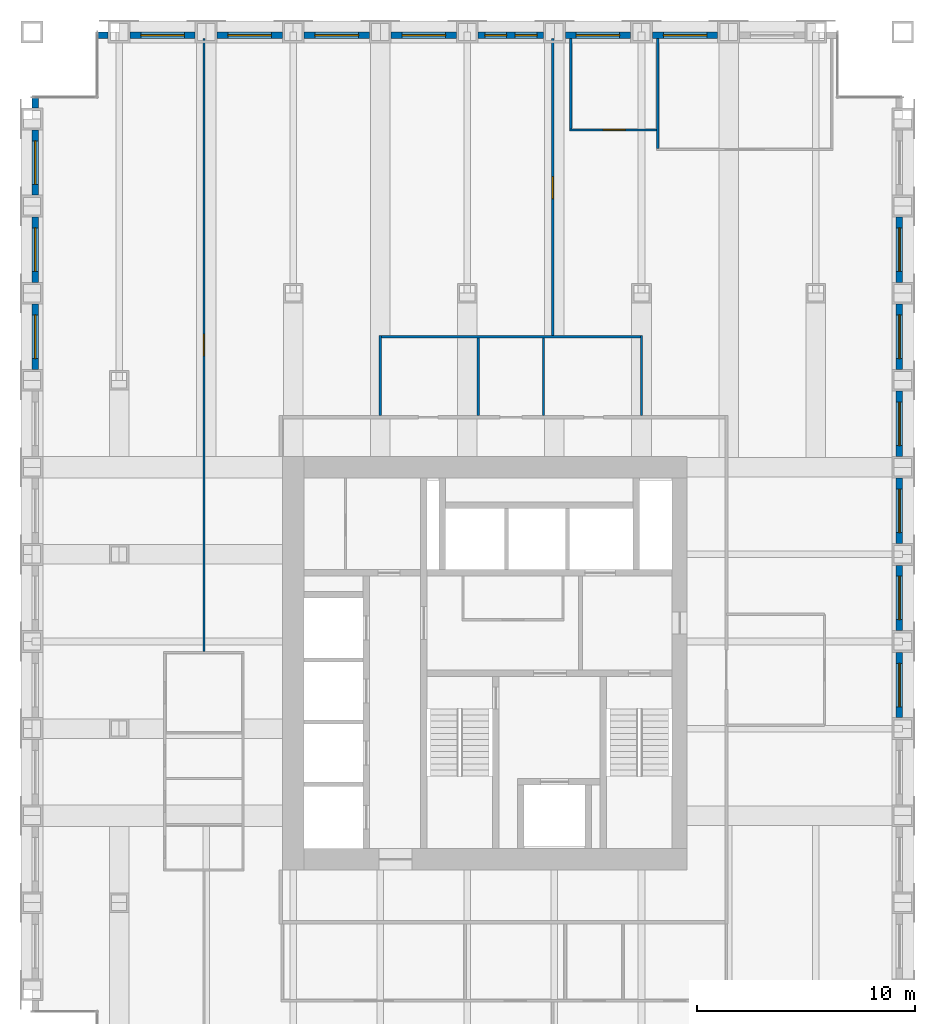
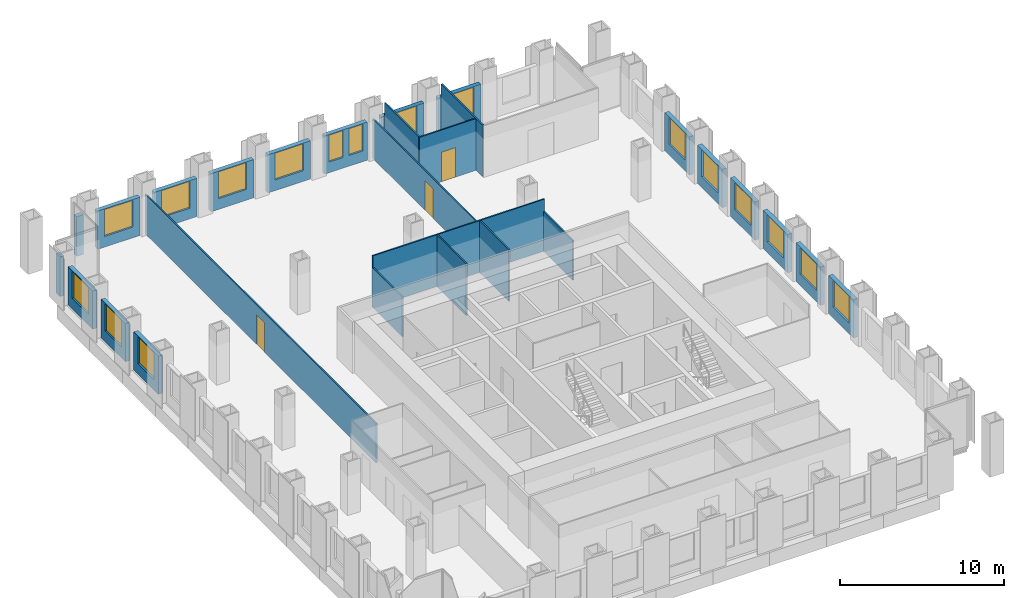
# One storey, part 11 of 13: 28 walls, 17 windows, 3 doors, 20 openings.
"""IFC4 building model written with IfcOpenShell, lengths in metres."""

import ifcopenshell
import ifcopenshell.guid

model = None  # the IFC model being written
_history = None  # IfcOwnerHistory: only IFC2X3 demands one
_inside = {}  # id of a spatial element -> (the spatial element, [elements in it])
_under = {}  # id of a project, library or spatial element -> (it, [spatial elements below it])
_declared = {}  # id of a project -> (the project, [libraries it declares])
_typed = {}  # id of a type object -> (the type object, [elements of that type])
_made_of = {}  # id of a material, layer set ... -> (it, [elements and type objects made of it])


def new_model(schema):
    """Start an empty IFC model of exactly this schema.

    Asked for "IFC4X3", IfcOpenShell would pick the latest addendum, in which some entities
    have other attributes; the version numbers below select the first issue.
    IFC2X3 requires an IfcOwnerHistory on every rooted entity: one is made here for all.
    """
    global model, _history
    if schema == "IFC4X3":
        model = ifcopenshell.file(schema_version=(4, 3, 0, 0))
    else:
        model = ifcopenshell.file(schema=schema)
    _inside.clear()
    _under.clear()
    _declared.clear()
    _typed.clear()
    _made_of.clear()
    _history = None
    if model.schema == "IFC2X3":
        org = make("IfcOrganization", Name="unknown")
        user = make(
            "IfcPersonAndOrganization",
            ThePerson=make("IfcPerson", FamilyName="unknown"),
            TheOrganization=org,
        )
        app = make(
            "IfcApplication",
            ApplicationDeveloper=org,
            Version="unknown",
            ApplicationFullName="unknown",
            ApplicationIdentifier="unknown",
        )
        _history = make(
            "IfcOwnerHistory",
            OwningUser=user,
            OwningApplication=app,
            ChangeAction="ADDED",
            CreationDate=0,
        )
    return model


def make(cls, **values):
    """One entity of the class cls with the attributes given. An attribute that is None is left unset."""
    return model.create_entity(
        cls, **{name: value for name, value in values.items() if value is not None}
    )


def rooted(cls, **values):
    """An entity with a GlobalId (a new one), such as an element, a storey or a relation."""
    return make(cls, GlobalId=ifcopenshell.guid.new(), OwnerHistory=_history, **values)


def si_unit(unit_type, name, prefix=None):
    """IfcSIUnit, for example si_unit("LENGTHUNIT", "METRE", prefix="MILLI")."""
    return make("IfcSIUnit", UnitType=unit_type, Prefix=prefix, Name=name)


def assignment(units):
    """IfcUnitAssignment: the units of a project."""
    return None if units is None else make("IfcUnitAssignment", Units=units)


def point(xyz):
    """IfcCartesianPoint."""
    return None if xyz is None else make("IfcCartesianPoint", Coordinates=xyz)


def direction(xyz):
    """IfcDirection."""
    return None if xyz is None else make("IfcDirection", DirectionRatios=xyz)


def frame(location, z_axis=None, x_axis=None):
    """IfcAxis2Placement3D, a coordinate frame: its origin and axes. An axis left out is left unset."""
    return make(
        "IfcAxis2Placement3D",
        Location=point(location),
        Axis=direction(z_axis),
        RefDirection=direction(x_axis),
    )


def frame_2d(location, x_axis=None):
    """IfcAxis2Placement2D, a coordinate frame in the plane: its origin and x axis."""
    return make(
        "IfcAxis2Placement2D", Location=point(location), RefDirection=direction(x_axis)
    )


def origin():
    """The frame at (0, 0, 0) with its axes left unset."""
    return frame((0.0, 0.0, 0.0))


def place(relative_to, where):
    """IfcLocalPlacement: puts the frame where relative to a parent placement (None: the world)."""
    return make(
        "IfcLocalPlacement", PlacementRelTo=relative_to, RelativePlacement=where
    )


def context(
    kind, dimensions, precision=None, world=None, true_north=None, identifier=None
):
    """IfcGeometricRepresentationContext, for example the 3D "Model" context."""
    return make(
        "IfcGeometricRepresentationContext",
        ContextIdentifier=identifier,
        ContextType=kind,
        CoordinateSpaceDimension=dimensions,
        Precision=precision,
        WorldCoordinateSystem=world,
        TrueNorth=true_north,
    )


def subcontext(parent, identifier, kind, view, scale=None):
    """IfcGeometricRepresentationSubContext, for example "Body" below "Model"."""
    return make(
        "IfcGeometricRepresentationSubContext",
        ContextIdentifier=identifier,
        ContextType=kind,
        ParentContext=parent,
        TargetScale=scale,
        TargetView=view,
    )


def project(units=None, contexts=None):
    """IfcProject with its units and contexts."""
    return rooted(
        "IfcProject",
        Name="project",
        RepresentationContexts=contexts,
        UnitsInContext=assignment(units),
    )


def spatial(cls, under=None, at=None, **own):
    """A site, building, storey or space (cls), placed at a placement, below another one or the project."""
    s = rooted(cls, ObjectPlacement=at, **own)
    if under is not None:
        _under.setdefault(under.id(), (under, []))[1].append(s)
    return s


def profile(cls, at=None, kind="AREA", **sizes):
    """A parametric profile (cls). Its sizes go by their IFC names, for example OverallWidth=200.0."""
    return make(cls, ProfileType=kind, Position=at, **sizes)


def rectangle(**sizes):
    """IfcRectangleProfileDef."""
    return profile("IfcRectangleProfileDef", **sizes)


def extrude(swept, where, along, depth):
    """IfcExtrudedAreaSolid: the profile swept, set in the frame where, extruded along a direction by depth."""
    return make(
        "IfcExtrudedAreaSolid",
        SweptArea=swept,
        Position=where,
        ExtrudedDirection=direction(along),
        Depth=depth,
    )


def shape(context_of_items, identifier, shape_type, items):
    """IfcShapeRepresentation: the items that make up one representation, for example the "Body"."""
    return make(
        "IfcShapeRepresentation",
        ContextOfItems=context_of_items,
        RepresentationIdentifier=identifier,
        RepresentationType=shape_type,
        Items=items,
    )


def material(Name=None, Category=None):
    """IfcMaterial."""
    return make("IfcMaterial", Name=Name, Category=Category)


def layer(
    of_material, thickness, ventilated=None, Name=None, Category=None, Priority=None
):
    """IfcMaterialLayer: one layer of a wall or slab, of a material (None: an air gap)."""
    return make(
        "IfcMaterialLayer",
        Material=of_material,
        LayerThickness=thickness,
        IsVentilated=ventilated,
        Name=Name,
        Category=Category,
        Priority=Priority,
    )


def layer_set(layers, Name=None):
    """IfcMaterialLayerSet."""
    return make("IfcMaterialLayerSet", MaterialLayers=layers, LayerSetName=Name)


def made_of(thing, what):
    """Note that an element or type object is made of a material, layer set ...; save() writes the relation."""
    if what is not None:
        _made_of.setdefault(what.id(), (what, []))[1].append(thing)
    return thing


def type_object(cls, material=None, **own):
    """A type object (cls), such as IfcWallType, which elements share."""
    return made_of(rooted(cls, **own), material)


def element(
    cls,
    number,
    at=None,
    inside=None,
    cuts=None,
    type_object=None,
    material=None,
    context=None,
    identifier="Body",
    shape_type=None,
    held_by="IfcProductDefinitionShape",
    body=None,
    shapes=None,
    **own,
):
    """One element of the class cls, such as IfcWall. Its Tag is "e" and its number.

    at: its placement. inside: the storey or other place that contains it. cuts: it is an
    opening in that element (IfcRelVoidsElement). A single representation is given by context,
    identifier, shape_type and body (its items); several are given by shapes. held_by: the class
    of the entity that holds the representations. save() writes the other relations.
    """
    e = rooted(cls, Tag="e%d" % number, ObjectPlacement=at, **own)
    if body is not None:
        shapes = [shape(context, identifier, shape_type, body)]
    if shapes is not None:
        e.Representation = make(held_by, Representations=shapes)
    if inside is not None:
        _inside.setdefault(inside.id(), (inside, []))[1].append(e)
    if cuts is not None:
        rooted(
            "IfcRelVoidsElement", RelatingBuildingElement=cuts, RelatedOpeningElement=e
        )
    if type_object is not None:
        _typed.setdefault(type_object.id(), (type_object, []))[1].append(e)
    return made_of(e, material)


def fill(opening, filler):
    """IfcRelFillsElement: the door or window that sits in an opening."""
    return rooted(
        "IfcRelFillsElement",
        RelatingOpeningElement=opening,
        RelatedBuildingElement=filler,
    )


def aggregate(whole, parts):
    """IfcRelAggregates: a whole, such as a stair, and the parts it consists of."""
    return rooted("IfcRelAggregates", RelatingObject=whole, RelatedObjects=parts)


def save(model, path):
    """Write the relations noted so far, then the file.

    IfcRelAggregates (storeys below a building ...), IfcRelContainedInSpatialStructure (elements
    in a storey), IfcRelDefinesByType, IfcRelAssociatesMaterial and IfcRelDeclares: one each for
    every whole, place, type object, material and project.
    """
    for whole, parts in _under.values():
        aggregate(whole, parts)
    for where, things in _inside.values():
        rooted(
            "IfcRelContainedInSpatialStructure",
            RelatedElements=things,
            RelatingStructure=where,
        )
    for kind, things in _typed.values():
        rooted("IfcRelDefinesByType", RelatedObjects=things, RelatingType=kind)
    for what, things in _made_of.values():
        rooted("IfcRelAssociatesMaterial", RelatedObjects=things, RelatingMaterial=what)
    for by, libraries in _declared.values():
        rooted("IfcRelDeclares", RelatingContext=by, RelatedDefinitions=libraries)
    model.write(path)


model = new_model("IFC4")

# Units and contexts
model_context = context("Model", 3, precision=1e-05, world=origin(), true_north=direction((0.0, 1.0)))
body_context = subcontext(model_context, "Body", "Model", "MODEL_VIEW")
ifc_project = project(units=[si_unit("LENGTHUNIT", "METRE"), si_unit("AREAUNIT", "SQUARE_METRE"), si_unit("VOLUMEUNIT", "CUBIC_METRE"), si_unit("PLANEANGLEUNIT", "RADIAN"), si_unit("MASSUNIT", "GRAM", prefix="KILO")], contexts=[model_context])

# Site, building, storey
site_placement = place(None, origin())
site = spatial("IfcSite", under=ifc_project, at=site_placement, CompositionType="ELEMENT")
building_placement = place(site_placement, origin())
building = spatial("IfcBuilding", under=site, at=building_placement, Name="Rimbunsela Tower", CompositionType="ELEMENT")
storey_placement = place(building_placement, frame((0.0, 0.0, 187.800048828125)))
storey = spatial("IfcBuildingStorey", under=building, at=storey_placement, Name="L45", CompositionType="ELEMENT", Elevation=187.800048828125)

# Wall, opening, door
ifc_material_1 = material(Name="Gypsum board on steel studs", Category="steel")
ifc_layer_1 = layer(ifc_material_1, 0.10009765625)
ifc_layer_set_1 = layer_set([ifc_layer_1], Name="Office partition 100")
wall_type_1 = type_object("IfcWallType", Name="Office partition 100", PredefinedType="PARTITIONING", material=ifc_layer_set_1)
wall_1_placement = place(storey_placement, frame((30.699951171875, 51.5, 0.0), z_axis=(0.0, 0.0, 1.0), x_axis=(1.0, 0.0, 0.0)))
wall_1 = element("IfcWall", 1, at=wall_1_placement, inside=storey, type_object=wall_type_1, Name="Office partition", PredefinedType="PARTITIONING", context=body_context, shape_type="SweptSolid", body=[
    extrude(rectangle(XDim=4.0, YDim=0.10009765625, at=frame_2d((2.0, 0.0))), origin(), (0.0, 0.0, 1.0), 3.849853515625),
])
opening_1_placement = place(wall_1_placement, frame((1.550048828125, 0.0, 0.0)))
opening_1 = element("IfcOpeningElement", 2, at=opening_1_placement, cuts=wall_1, Name="Opening D16", PredefinedType="OPENING", context=body_context, shape_type="SweptSolid", body=[
    extrude(rectangle(XDim=1.0, YDim=2.199951171875, at=frame_2d((0.5, 1.10009765625))), frame((0.0, 0.06005859375, 0.0), z_axis=(0.0, -1.0, 0.0), x_axis=(1.0, 0.0, 0.0)), (0.0, 0.0, 1.0), 0.1201171875),
])
ifc_material_2 = material(Name="Timber door", Category="wood")
door_type_1 = type_object("IfcDoorType", Name="Office door 1000", OperationType="SINGLE_SWING_LEFT", PredefinedType="DOOR", material=ifc_material_2)
door_1_placement = place(opening_1_placement, origin())
door_1 = element("IfcDoor", 3, at=door_1_placement, inside=storey, type_object=door_type_1, Name="Office door", OperationType="SINGLE_SWING_LEFT", OverallHeight=2.199951171875, OverallWidth=1.0, PredefinedType="DOOR", context=body_context, shape_type="SweptSolid", body=[
    extrude(rectangle(XDim=1.0, YDim=2.199951171875, at=frame_2d((0.5, 1.10009765625))), frame((0.0, 0.02490234375, 0.0), z_axis=(0.0, -1.0, 0.0), x_axis=(1.0, 0.0, 0.0)), (0.0, 0.0, 1.0), 0.050048828125),
])
fill(opening_1, door_1)

# Walls
wall_2_placement = place(storey_placement, frame((30.75, 51.550048828125, 0.0), z_axis=(0.0, 0.0, 1.0), x_axis=(0.0, 1.0, 0.0)))
element("IfcWall", 4, at=wall_2_placement, inside=storey, type_object=wall_type_1, Name="Office partition", PredefinedType="PARTITIONING", context=body_context, shape_type="SweptSolid", body=[
    extrude(rectangle(XDim=4.14990234375, YDim=0.10009765625, at=frame_2d((2.074951171875, 0.0))), origin(), (0.0, 0.0, 1.0), 3.849853515625),
])
wall_3_placement = place(storey_placement, frame((34.75, 50.64990234375, 0.0), z_axis=(0.0, 0.0, 1.0), x_axis=(0.0, 1.0, 0.0)))
element("IfcWall", 5, at=wall_3_placement, inside=storey, type_object=wall_type_1, Name="Office partition", PredefinedType="PARTITIONING", context=body_context, shape_type="SweptSolid", body=[
    extrude(rectangle(XDim=5.050048828125, YDim=0.10009765625, at=frame_2d((2.52490234375, 0.0))), origin(), (0.0, 0.0, 1.0), 3.849853515625),
])

# Wall, opening, door
wall_4_placement = place(storey_placement, frame((29.925048828125, 55.699951171875, 0.0), z_axis=(0.0, 0.0, 1.0), x_axis=(0.0, -1.0, 0.0)))
wall_4 = element("IfcWall", 6, at=wall_4_placement, inside=storey, type_object=wall_type_1, Name="Office partition", PredefinedType="PARTITIONING", context=body_context, shape_type="SweptSolid", body=[
    extrude(rectangle(XDim=13.699951171875, YDim=0.10009765625, at=frame_2d((6.85009765625, 0.0))), origin(), (0.0, 0.0, 1.0), 2.949951171875),
])
opening_2_placement = place(wall_4_placement, frame((6.35009765625, 0.0, 0.0)))
opening_2 = element("IfcOpeningElement", 7, at=opening_2_placement, cuts=wall_4, Name="Opening D17", PredefinedType="OPENING", context=body_context, shape_type="SweptSolid", body=[
    extrude(rectangle(XDim=1.0, YDim=2.199951171875, at=frame_2d((0.5, 1.10009765625))), frame((0.0, 0.06005859375, 0.0), z_axis=(0.0, -1.0, 0.0), x_axis=(1.0, 0.0, 0.0)), (0.0, 0.0, 1.0), 0.1201171875),
])
ifc_material_3 = material(Name="Glazed aluminium door", Category="aluminium")
door_type_2 = type_object("IfcDoorType", Name="Meeting room door 1000 glazed", OperationType="SINGLE_SWING_RIGHT", PredefinedType="DOOR", material=ifc_material_3)
door_2_placement = place(opening_2_placement, origin())
door_2 = element("IfcDoor", 8, at=door_2_placement, inside=storey, type_object=door_type_2, Name="Open office screen door", OperationType="SINGLE_SWING_RIGHT", OverallHeight=2.199951171875, OverallWidth=1.0, PredefinedType="DOOR", context=body_context, shape_type="SweptSolid", body=[
    extrude(rectangle(XDim=1.0, YDim=2.199951171875, at=frame_2d((0.5, 1.10009765625))), frame((0.0, 0.02490234375, 0.0), z_axis=(0.0, -1.0, 0.0), x_axis=(1.0, 0.0, 0.0)), (0.0, 0.0, 1.0), 0.050048828125),
])
fill(opening_2, door_2)

wall_5_placement = place(storey_placement, frame((13.89990234375, 27.550048828125, 0.0), z_axis=(0.0, 0.0, 1.0), x_axis=(0.0, 1.0, 0.0)))
wall_5 = element("IfcWall", 9, at=wall_5_placement, inside=storey, type_object=wall_type_1, Name="Office partition", PredefinedType="PARTITIONING", context=body_context, shape_type="SweptSolid", body=[
    extrude(rectangle(XDim=28.14990234375, YDim=0.10009765625, at=frame_2d((14.074951171875, 0.0))), origin(), (0.0, 0.0, 1.0), 2.949951171875),
])
opening_3_placement = place(wall_5_placement, frame((13.574951171875, 0.0, 0.0)))
opening_3 = element("IfcOpeningElement", 10, at=opening_3_placement, cuts=wall_5, Name="Opening D17", PredefinedType="OPENING", context=body_context, shape_type="SweptSolid", body=[
    extrude(rectangle(XDim=1.0, YDim=2.199951171875, at=frame_2d((0.5, 1.10009765625))), frame((0.0, 0.06005859375, 0.0), z_axis=(0.0, -1.0, 0.0), x_axis=(1.0, 0.0, 0.0)), (0.0, 0.0, 1.0), 0.1201171875),
])
door_3_placement = place(opening_3_placement, origin())
door_3 = element("IfcDoor", 11, at=door_3_placement, inside=storey, type_object=door_type_2, Name="Open office screen door", OperationType="SINGLE_SWING_RIGHT", OverallHeight=2.199951171875, OverallWidth=1.0, PredefinedType="DOOR", context=body_context, shape_type="SweptSolid", body=[
    extrude(rectangle(XDim=1.0, YDim=2.199951171875, at=frame_2d((0.5, 1.10009765625))), frame((0.0, 0.02490234375, 0.0), z_axis=(0.0, -1.0, 0.0), x_axis=(1.0, 0.0, 0.0)), (0.0, 0.0, 1.0), 0.050048828125),
])
fill(opening_3, door_3)

# Wall, opening, window
ifc_material_4 = material(Name="Precast concrete fc' 35 MPa", Category="concrete")
ifc_layer_2 = layer(ifc_material_4, 0.300048828125)
ifc_layer_set_2 = layer_set([ifc_layer_2], Name="Precast concrete fc' 35 MPa")
wall_type_2 = type_object("IfcWallType", Name="Precast facade panel 300", PredefinedType="ELEMENTEDWALL", material=ifc_layer_set_2)
wall_6_placement = place(storey_placement, frame((45.85009765625, 24.5, 0.0), z_axis=(0.0, 0.0, 1.0), x_axis=(0.0, 1.0, 0.0)))
wall_6 = element("IfcWall", 12, at=wall_6_placement, inside=storey, type_object=wall_type_2, Name="Facade panel E L45", PredefinedType="ELEMENTEDWALL", context=body_context, shape_type="SweptSolid", body=[
    extrude(rectangle(XDim=3.0, YDim=0.300048828125, at=frame_2d((1.5, 0.0))), origin(), (0.0, 0.0, 1.0), 2.849853515625),
])
opening_4_placement = place(wall_6_placement, frame((0.5, 0.0, 0.800048828125)))
opening_4 = element("IfcOpeningElement", 13, at=opening_4_placement, cuts=wall_6, Name="Opening W1", PredefinedType="OPENING", context=body_context, shape_type="SweptSolid", body=[
    extrude(rectangle(XDim=2.0, YDim=2.0, at=frame_2d((1.0, 1.0))), frame((0.0, 0.159912109375, 0.0), z_axis=(0.0, -1.0, 0.0), x_axis=(1.0, 0.0, 0.0)), (0.0, 0.0, 1.0), 0.320068359375),
])
ifc_material_5 = material(Name="Clear glass in aluminium frame", Category="aluminium")
window_type_1 = type_object("IfcWindowType", Name="Window W1 2000x2000", PartitioningType="DOUBLE_PANEL_VERTICAL", PredefinedType="WINDOW", material=ifc_material_5)
window_1_placement = place(opening_4_placement, origin())
window_1 = element("IfcWindow", 14, at=window_1_placement, inside=storey, type_object=window_type_1, Name="Window L45", OverallHeight=2.0, OverallWidth=2.0, PartitioningType="SINGLE_PANEL", PredefinedType="WINDOW", context=body_context, shape_type="SweptSolid", body=[
    extrude(rectangle(XDim=2.0, YDim=2.0, at=frame_2d((1.0, 1.0))), frame((0.0, 0.030029296875, 0.0), z_axis=(0.0, -1.0, 0.0), x_axis=(1.0, 0.0, 0.0)), (0.0, 0.0, 1.0), 0.06005859375),
])
fill(opening_4, window_1)

wall_7_placement = place(storey_placement, frame((45.85009765625, 28.5, 0.0), z_axis=(0.0, 0.0, 1.0), x_axis=(0.0, 1.0, 0.0)))
wall_7 = element("IfcWall", 15, at=wall_7_placement, inside=storey, type_object=wall_type_2, Name="Facade panel E L45", PredefinedType="ELEMENTEDWALL", context=body_context, shape_type="SweptSolid", body=[
    extrude(rectangle(XDim=3.0, YDim=0.300048828125, at=frame_2d((1.5, 0.0))), origin(), (0.0, 0.0, 1.0), 2.849853515625),
])
opening_5_placement = place(wall_7_placement, frame((0.5, 0.0, 0.800048828125)))
opening_5 = element("IfcOpeningElement", 16, at=opening_5_placement, cuts=wall_7, Name="Opening W1", PredefinedType="OPENING", context=body_context, shape_type="SweptSolid", body=[
    extrude(rectangle(XDim=2.0, YDim=2.0, at=frame_2d((1.0, 1.0))), frame((0.0, 0.159912109375, 0.0), z_axis=(0.0, -1.0, 0.0), x_axis=(1.0, 0.0, 0.0)), (0.0, 0.0, 1.0), 0.320068359375),
])
window_2_placement = place(opening_5_placement, origin())
window_2 = element("IfcWindow", 17, at=window_2_placement, inside=storey, type_object=window_type_1, Name="Window L45", OverallHeight=2.0, OverallWidth=2.0, PartitioningType="SINGLE_PANEL", PredefinedType="WINDOW", context=body_context, shape_type="SweptSolid", body=[
    extrude(rectangle(XDim=2.0, YDim=2.0, at=frame_2d((1.0, 1.0))), frame((0.0, 0.030029296875, 0.0), z_axis=(0.0, -1.0, 0.0), x_axis=(1.0, 0.0, 0.0)), (0.0, 0.0, 1.0), 0.06005859375),
])
fill(opening_5, window_2)

wall_8_placement = place(storey_placement, frame((45.85009765625, 32.5, 0.0), z_axis=(0.0, 0.0, 1.0), x_axis=(0.0, 1.0, 0.0)))
wall_8 = element("IfcWall", 18, at=wall_8_placement, inside=storey, type_object=wall_type_2, Name="Facade panel E L45", PredefinedType="ELEMENTEDWALL", context=body_context, shape_type="SweptSolid", body=[
    extrude(rectangle(XDim=3.0, YDim=0.300048828125, at=frame_2d((1.5, 0.0))), origin(), (0.0, 0.0, 1.0), 2.849853515625),
])
opening_6_placement = place(wall_8_placement, frame((0.5, 0.0, 0.800048828125)))
opening_6 = element("IfcOpeningElement", 19, at=opening_6_placement, cuts=wall_8, Name="Opening W1", PredefinedType="OPENING", context=body_context, shape_type="SweptSolid", body=[
    extrude(rectangle(XDim=2.0, YDim=2.0, at=frame_2d((1.0, 1.0))), frame((0.0, 0.159912109375, 0.0), z_axis=(0.0, -1.0, 0.0), x_axis=(1.0, 0.0, 0.0)), (0.0, 0.0, 1.0), 0.320068359375),
])
window_3_placement = place(opening_6_placement, origin())
window_3 = element("IfcWindow", 20, at=window_3_placement, inside=storey, type_object=window_type_1, Name="Window L45", OverallHeight=2.0, OverallWidth=2.0, PartitioningType="SINGLE_PANEL", PredefinedType="WINDOW", context=body_context, shape_type="SweptSolid", body=[
    extrude(rectangle(XDim=2.0, YDim=2.0, at=frame_2d((1.0, 1.0))), frame((0.0, 0.030029296875, 0.0), z_axis=(0.0, -1.0, 0.0), x_axis=(1.0, 0.0, 0.0)), (0.0, 0.0, 1.0), 0.06005859375),
])
fill(opening_6, window_3)

wall_9_placement = place(storey_placement, frame((45.85009765625, 36.5, 0.0), z_axis=(0.0, 0.0, 1.0), x_axis=(0.0, 1.0, 0.0)))
wall_9 = element("IfcWall", 21, at=wall_9_placement, inside=storey, type_object=wall_type_2, Name="Facade panel E L45", PredefinedType="ELEMENTEDWALL", context=body_context, shape_type="SweptSolid", body=[
    extrude(rectangle(XDim=3.0, YDim=0.300048828125, at=frame_2d((1.5, 0.0))), origin(), (0.0, 0.0, 1.0), 2.849853515625),
])
opening_7_placement = place(wall_9_placement, frame((0.5, 0.0, 0.800048828125)))
opening_7 = element("IfcOpeningElement", 22, at=opening_7_placement, cuts=wall_9, Name="Opening W1", PredefinedType="OPENING", context=body_context, shape_type="SweptSolid", body=[
    extrude(rectangle(XDim=2.0, YDim=2.0, at=frame_2d((1.0, 1.0))), frame((0.0, 0.159912109375, 0.0), z_axis=(0.0, -1.0, 0.0), x_axis=(1.0, 0.0, 0.0)), (0.0, 0.0, 1.0), 0.320068359375),
])
window_4_placement = place(opening_7_placement, origin())
window_4 = element("IfcWindow", 23, at=window_4_placement, inside=storey, type_object=window_type_1, Name="Window L45", OverallHeight=2.0, OverallWidth=2.0, PartitioningType="SINGLE_PANEL", PredefinedType="WINDOW", context=body_context, shape_type="SweptSolid", body=[
    extrude(rectangle(XDim=2.0, YDim=2.0, at=frame_2d((1.0, 1.0))), frame((0.0, 0.030029296875, 0.0), z_axis=(0.0, -1.0, 0.0), x_axis=(1.0, 0.0, 0.0)), (0.0, 0.0, 1.0), 0.06005859375),
])
fill(opening_7, window_4)

wall_10_placement = place(storey_placement, frame((45.85009765625, 40.5, 0.0), z_axis=(0.0, 0.0, 1.0), x_axis=(0.0, 1.0, 0.0)))
wall_10 = element("IfcWall", 24, at=wall_10_placement, inside=storey, type_object=wall_type_2, Name="Facade panel E L45", PredefinedType="ELEMENTEDWALL", context=body_context, shape_type="SweptSolid", body=[
    extrude(rectangle(XDim=3.0, YDim=0.300048828125, at=frame_2d((1.5, 0.0))), origin(), (0.0, 0.0, 1.0), 2.849853515625),
])
opening_8_placement = place(wall_10_placement, frame((0.5, 0.0, 0.800048828125)))
opening_8 = element("IfcOpeningElement", 25, at=opening_8_placement, cuts=wall_10, Name="Opening W1", PredefinedType="OPENING", context=body_context, shape_type="SweptSolid", body=[
    extrude(rectangle(XDim=2.0, YDim=2.0, at=frame_2d((1.0, 1.0))), frame((0.0, 0.159912109375, 0.0), z_axis=(0.0, -1.0, 0.0), x_axis=(1.0, 0.0, 0.0)), (0.0, 0.0, 1.0), 0.320068359375),
])
window_5_placement = place(opening_8_placement, origin())
window_5 = element("IfcWindow", 26, at=window_5_placement, inside=storey, type_object=window_type_1, Name="Window L45", OverallHeight=2.0, OverallWidth=2.0, PartitioningType="SINGLE_PANEL", PredefinedType="WINDOW", context=body_context, shape_type="SweptSolid", body=[
    extrude(rectangle(XDim=2.0, YDim=2.0, at=frame_2d((1.0, 1.0))), frame((0.0, 0.030029296875, 0.0), z_axis=(0.0, -1.0, 0.0), x_axis=(1.0, 0.0, 0.0)), (0.0, 0.0, 1.0), 0.06005859375),
])
fill(opening_8, window_5)

wall_11_placement = place(storey_placement, frame((45.85009765625, 44.5, 0.0), z_axis=(0.0, 0.0, 1.0), x_axis=(0.0, 1.0, 0.0)))
wall_11 = element("IfcWall", 27, at=wall_11_placement, inside=storey, type_object=wall_type_2, Name="Facade panel E L45", PredefinedType="ELEMENTEDWALL", context=body_context, shape_type="SweptSolid", body=[
    extrude(rectangle(XDim=3.0, YDim=0.300048828125, at=frame_2d((1.5, 0.0))), origin(), (0.0, 0.0, 1.0), 2.849853515625),
])
opening_9_placement = place(wall_11_placement, frame((0.5, 0.0, 0.800048828125)))
opening_9 = element("IfcOpeningElement", 28, at=opening_9_placement, cuts=wall_11, Name="Opening W1", PredefinedType="OPENING", context=body_context, shape_type="SweptSolid", body=[
    extrude(rectangle(XDim=2.0, YDim=2.0, at=frame_2d((1.0, 1.0))), frame((0.0, 0.159912109375, 0.0), z_axis=(0.0, -1.0, 0.0), x_axis=(1.0, 0.0, 0.0)), (0.0, 0.0, 1.0), 0.320068359375),
])
window_6_placement = place(opening_9_placement, origin())
window_6 = element("IfcWindow", 29, at=window_6_placement, inside=storey, type_object=window_type_1, Name="Window L45", OverallHeight=2.0, OverallWidth=2.0, PartitioningType="SINGLE_PANEL", PredefinedType="WINDOW", context=body_context, shape_type="SweptSolid", body=[
    extrude(rectangle(XDim=2.0, YDim=2.0, at=frame_2d((1.0, 1.0))), frame((0.0, 0.030029296875, 0.0), z_axis=(0.0, -1.0, 0.0), x_axis=(1.0, 0.0, 0.0)), (0.0, 0.0, 1.0), 0.06005859375),
])
fill(opening_9, window_6)

# Wall
wall_12_placement = place(storey_placement, frame((9.5, 55.85009765625, 0.0), z_axis=(0.0, 0.0, 1.0), x_axis=(-1.0, 0.0, 0.0)))
element("IfcWall", 30, at=wall_12_placement, inside=storey, type_object=wall_type_2, Name="Facade panel N L45", PredefinedType="ELEMENTEDWALL", context=body_context, shape_type="SweptSolid", body=[
    extrude(rectangle(XDim=0.469970703125, YDim=0.300048828125, at=frame_2d((0.23486328125, 0.0))), origin(), (0.0, 0.0, 1.0), 2.949951171875),
])

# Wall, opening, window
wall_13_placement = place(storey_placement, frame((13.5, 55.85009765625, 0.0), z_axis=(0.0, 0.0, 1.0), x_axis=(-1.0, 0.0, 0.0)))
wall_13 = element("IfcWall", 31, at=wall_13_placement, inside=storey, type_object=wall_type_2, Name="Facade panel N L45", PredefinedType="ELEMENTEDWALL", context=body_context, shape_type="SweptSolid", body=[
    extrude(rectangle(XDim=3.0, YDim=0.300048828125, at=frame_2d((1.5, 0.0))), origin(), (0.0, 0.0, 1.0), 2.849853515625),
])
opening_10_placement = place(wall_13_placement, frame((0.5, 0.0, 0.800048828125)))
opening_10 = element("IfcOpeningElement", 32, at=opening_10_placement, cuts=wall_13, Name="Opening W1", PredefinedType="OPENING", context=body_context, shape_type="SweptSolid", body=[
    extrude(rectangle(XDim=2.0, YDim=2.0, at=frame_2d((1.0, 1.0))), frame((0.0, 0.159912109375, 0.0), z_axis=(0.0, -1.0, 0.0), x_axis=(1.0, 0.0, 0.0)), (0.0, 0.0, 1.0), 0.320068359375),
])
window_7_placement = place(opening_10_placement, origin())
window_7 = element("IfcWindow", 33, at=window_7_placement, inside=storey, type_object=window_type_1, Name="Window L45", OverallHeight=2.0, OverallWidth=2.0, PartitioningType="SINGLE_PANEL", PredefinedType="WINDOW", context=body_context, shape_type="SweptSolid", body=[
    extrude(rectangle(XDim=2.0, YDim=2.0, at=frame_2d((1.0, 1.0))), frame((0.0, 0.030029296875, 0.0), z_axis=(0.0, -1.0, 0.0), x_axis=(1.0, 0.0, 0.0)), (0.0, 0.0, 1.0), 0.06005859375),
])
fill(opening_10, window_7)

wall_14_placement = place(storey_placement, frame((17.5, 55.85009765625, 0.0), z_axis=(0.0, 0.0, 1.0), x_axis=(-1.0, 0.0, 0.0)))
wall_14 = element("IfcWall", 34, at=wall_14_placement, inside=storey, type_object=wall_type_2, Name="Facade panel N L45", PredefinedType="ELEMENTEDWALL", context=body_context, shape_type="SweptSolid", body=[
    extrude(rectangle(XDim=3.0, YDim=0.300048828125, at=frame_2d((1.5, 0.0))), origin(), (0.0, 0.0, 1.0), 2.849853515625),
])
opening_11_placement = place(wall_14_placement, frame((0.5, 0.0, 0.800048828125)))
opening_11 = element("IfcOpeningElement", 35, at=opening_11_placement, cuts=wall_14, Name="Opening W1", PredefinedType="OPENING", context=body_context, shape_type="SweptSolid", body=[
    extrude(rectangle(XDim=2.0, YDim=2.0, at=frame_2d((1.0, 1.0))), frame((0.0, 0.159912109375, 0.0), z_axis=(0.0, -1.0, 0.0), x_axis=(1.0, 0.0, 0.0)), (0.0, 0.0, 1.0), 0.320068359375),
])
window_8_placement = place(opening_11_placement, origin())
window_8 = element("IfcWindow", 36, at=window_8_placement, inside=storey, type_object=window_type_1, Name="Window L45", OverallHeight=2.0, OverallWidth=2.0, PartitioningType="SINGLE_PANEL", PredefinedType="WINDOW", context=body_context, shape_type="SweptSolid", body=[
    extrude(rectangle(XDim=2.0, YDim=2.0, at=frame_2d((1.0, 1.0))), frame((0.0, 0.030029296875, 0.0), z_axis=(0.0, -1.0, 0.0), x_axis=(1.0, 0.0, 0.0)), (0.0, 0.0, 1.0), 0.06005859375),
])
fill(opening_11, window_8)

wall_15_placement = place(storey_placement, frame((21.5, 55.85009765625, 0.0), z_axis=(0.0, 0.0, 1.0), x_axis=(-1.0, 0.0, 0.0)))
wall_15 = element("IfcWall", 37, at=wall_15_placement, inside=storey, type_object=wall_type_2, Name="Facade panel N L45", PredefinedType="ELEMENTEDWALL", context=body_context, shape_type="SweptSolid", body=[
    extrude(rectangle(XDim=3.0, YDim=0.300048828125, at=frame_2d((1.5, 0.0))), origin(), (0.0, 0.0, 1.0), 2.849853515625),
])
opening_12_placement = place(wall_15_placement, frame((0.5, 0.0, 0.800048828125)))
opening_12 = element("IfcOpeningElement", 38, at=opening_12_placement, cuts=wall_15, Name="Opening W1", PredefinedType="OPENING", context=body_context, shape_type="SweptSolid", body=[
    extrude(rectangle(XDim=2.0, YDim=2.0, at=frame_2d((1.0, 1.0))), frame((0.0, 0.159912109375, 0.0), z_axis=(0.0, -1.0, 0.0), x_axis=(1.0, 0.0, 0.0)), (0.0, 0.0, 1.0), 0.320068359375),
])
window_9_placement = place(opening_12_placement, origin())
window_9 = element("IfcWindow", 39, at=window_9_placement, inside=storey, type_object=window_type_1, Name="Window L45", OverallHeight=2.0, OverallWidth=2.0, PartitioningType="SINGLE_PANEL", PredefinedType="WINDOW", context=body_context, shape_type="SweptSolid", body=[
    extrude(rectangle(XDim=2.0, YDim=2.0, at=frame_2d((1.0, 1.0))), frame((0.0, 0.030029296875, 0.0), z_axis=(0.0, -1.0, 0.0), x_axis=(1.0, 0.0, 0.0)), (0.0, 0.0, 1.0), 0.06005859375),
])
fill(opening_12, window_9)

wall_16_placement = place(storey_placement, frame((25.5, 55.85009765625, 0.0), z_axis=(0.0, 0.0, 1.0), x_axis=(-1.0, 0.0, 0.0)))
wall_16 = element("IfcWall", 40, at=wall_16_placement, inside=storey, type_object=wall_type_2, Name="Facade panel N L45", PredefinedType="ELEMENTEDWALL", context=body_context, shape_type="SweptSolid", body=[
    extrude(rectangle(XDim=3.0, YDim=0.300048828125, at=frame_2d((1.5, 0.0))), origin(), (0.0, 0.0, 1.0), 2.849853515625),
])
opening_13_placement = place(wall_16_placement, frame((0.5, 0.0, 0.800048828125)))
opening_13 = element("IfcOpeningElement", 41, at=opening_13_placement, cuts=wall_16, Name="Opening W1", PredefinedType="OPENING", context=body_context, shape_type="SweptSolid", body=[
    extrude(rectangle(XDim=2.0, YDim=2.0, at=frame_2d((1.0, 1.0))), frame((0.0, 0.159912109375, 0.0), z_axis=(0.0, -1.0, 0.0), x_axis=(1.0, 0.0, 0.0)), (0.0, 0.0, 1.0), 0.320068359375),
])
window_10_placement = place(opening_13_placement, origin())
window_10 = element("IfcWindow", 42, at=window_10_placement, inside=storey, type_object=window_type_1, Name="Window L45", OverallHeight=2.0, OverallWidth=2.0, PartitioningType="SINGLE_PANEL", PredefinedType="WINDOW", context=body_context, shape_type="SweptSolid", body=[
    extrude(rectangle(XDim=2.0, YDim=2.0, at=frame_2d((1.0, 1.0))), frame((0.0, 0.030029296875, 0.0), z_axis=(0.0, -1.0, 0.0), x_axis=(1.0, 0.0, 0.0)), (0.0, 0.0, 1.0), 0.06005859375),
])
fill(opening_13, window_10)

# Wall, openings, windows
wall_17_placement = place(storey_placement, frame((29.5, 55.85009765625, 0.0), z_axis=(0.0, 0.0, 1.0), x_axis=(-1.0, 0.0, 0.0)))
wall_17 = element("IfcWall", 43, at=wall_17_placement, inside=storey, type_object=wall_type_2, Name="Facade panel N L45", PredefinedType="ELEMENTEDWALL", context=body_context, shape_type="SweptSolid", body=[
    extrude(rectangle(XDim=3.0, YDim=0.300048828125, at=frame_2d((1.5, 0.0))), origin(), (0.0, 0.0, 1.0), 2.849853515625),
])
opening_14_placement = place(wall_17_placement, frame((1.699951171875, 0.0, 0.800048828125)))
opening_14 = element("IfcOpeningElement", 44, at=opening_14_placement, cuts=wall_17, Name="Opening W5", PredefinedType="OPENING", context=body_context, shape_type="SweptSolid", body=[
    extrude(rectangle(XDim=1.0, YDim=2.0, at=frame_2d((0.5, 1.0))), frame((0.0, 0.159912109375, 0.0), z_axis=(0.0, -1.0, 0.0), x_axis=(1.0, 0.0, 0.0)), (0.0, 0.0, 1.0), 0.320068359375),
])
opening_15_placement = place(wall_17_placement, frame((0.300048828125, 0.0, 0.800048828125)))
opening_15 = element("IfcOpeningElement", 45, at=opening_15_placement, cuts=wall_17, Name="Opening W5", PredefinedType="OPENING", context=body_context, shape_type="SweptSolid", body=[
    extrude(rectangle(XDim=1.0, YDim=2.0, at=frame_2d((0.5, 1.0))), frame((0.0, 0.159912109375, 0.0), z_axis=(0.0, -1.0, 0.0), x_axis=(1.0, 0.0, 0.0)), (0.0, 0.0, 1.0), 0.320068359375),
])
ifc_material_6 = material(Name="Clear glass in aluminium frame", Category="aluminium")
window_type_2 = type_object("IfcWindowType", Name="Window W5 1000x2000", PartitioningType="SINGLE_PANEL", PredefinedType="WINDOW", material=ifc_material_6)
window_11_placement = place(opening_14_placement, origin())
window_11 = element("IfcWindow", 46, at=window_11_placement, inside=storey, type_object=window_type_2, Name="Window L45", OverallHeight=2.0, OverallWidth=1.0, PartitioningType="SINGLE_PANEL", PredefinedType="WINDOW", context=body_context, shape_type="SweptSolid", body=[
    extrude(rectangle(XDim=1.0, YDim=2.0, at=frame_2d((0.5, 1.0))), frame((0.0, 0.030029296875, 0.0), z_axis=(0.0, -1.0, 0.0), x_axis=(1.0, 0.0, 0.0)), (0.0, 0.0, 1.0), 0.06005859375),
])
fill(opening_14, window_11)
window_12_placement = place(opening_15_placement, origin())
window_12 = element("IfcWindow", 47, at=window_12_placement, inside=storey, type_object=window_type_2, Name="Window L45", OverallHeight=2.0, OverallWidth=1.0, PartitioningType="SINGLE_PANEL", PredefinedType="WINDOW", context=body_context, shape_type="SweptSolid", body=[
    extrude(rectangle(XDim=1.0, YDim=2.0, at=frame_2d((0.5, 1.0))), frame((0.0, 0.030029296875, 0.0), z_axis=(0.0, -1.0, 0.0), x_axis=(1.0, 0.0, 0.0)), (0.0, 0.0, 1.0), 0.06005859375),
])
fill(opening_15, window_12)

# Wall, opening, window
wall_18_placement = place(storey_placement, frame((33.5, 55.85009765625, 0.0), z_axis=(0.0, 0.0, 1.0), x_axis=(-1.0, 0.0, 0.0)))
wall_18 = element("IfcWall", 48, at=wall_18_placement, inside=storey, type_object=wall_type_2, Name="Facade panel N L45", PredefinedType="ELEMENTEDWALL", context=body_context, shape_type="SweptSolid", body=[
    extrude(rectangle(XDim=3.0, YDim=0.300048828125, at=frame_2d((1.5, 0.0))), origin(), (0.0, 0.0, 1.0), 2.849853515625),
])
opening_16_placement = place(wall_18_placement, frame((0.5, 0.0, 0.800048828125)))
opening_16 = element("IfcOpeningElement", 49, at=opening_16_placement, cuts=wall_18, Name="Opening W1", PredefinedType="OPENING", context=body_context, shape_type="SweptSolid", body=[
    extrude(rectangle(XDim=2.0, YDim=2.0, at=frame_2d((1.0, 1.0))), frame((0.0, 0.159912109375, 0.0), z_axis=(0.0, -1.0, 0.0), x_axis=(1.0, 0.0, 0.0)), (0.0, 0.0, 1.0), 0.320068359375),
])
window_13_placement = place(opening_16_placement, origin())
window_13 = element("IfcWindow", 50, at=window_13_placement, inside=storey, type_object=window_type_1, Name="Window L45", OverallHeight=2.0, OverallWidth=2.0, PartitioningType="SINGLE_PANEL", PredefinedType="WINDOW", context=body_context, shape_type="SweptSolid", body=[
    extrude(rectangle(XDim=2.0, YDim=2.0, at=frame_2d((1.0, 1.0))), frame((0.0, 0.030029296875, 0.0), z_axis=(0.0, -1.0, 0.0), x_axis=(1.0, 0.0, 0.0)), (0.0, 0.0, 1.0), 0.06005859375),
])
fill(opening_16, window_13)

wall_19_placement = place(storey_placement, frame((37.5, 55.85009765625, 0.0), z_axis=(0.0, 0.0, 1.0), x_axis=(-1.0, 0.0, 0.0)))
wall_19 = element("IfcWall", 51, at=wall_19_placement, inside=storey, type_object=wall_type_2, Name="Facade panel N L45", PredefinedType="ELEMENTEDWALL", context=body_context, shape_type="SweptSolid", body=[
    extrude(rectangle(XDim=3.0, YDim=0.300048828125, at=frame_2d((1.5, 0.0))), origin(), (0.0, 0.0, 1.0), 2.849853515625),
])
opening_17_placement = place(wall_19_placement, frame((0.5, 0.0, 0.800048828125)))
opening_17 = element("IfcOpeningElement", 52, at=opening_17_placement, cuts=wall_19, Name="Opening W1", PredefinedType="OPENING", context=body_context, shape_type="SweptSolid", body=[
    extrude(rectangle(XDim=2.0, YDim=2.0, at=frame_2d((1.0, 1.0))), frame((0.0, 0.159912109375, 0.0), z_axis=(0.0, -1.0, 0.0), x_axis=(1.0, 0.0, 0.0)), (0.0, 0.0, 1.0), 0.320068359375),
])
window_14_placement = place(opening_17_placement, origin())
window_14 = element("IfcWindow", 53, at=window_14_placement, inside=storey, type_object=window_type_1, Name="Window L45", OverallHeight=2.0, OverallWidth=2.0, PartitioningType="SINGLE_PANEL", PredefinedType="WINDOW", context=body_context, shape_type="SweptSolid", body=[
    extrude(rectangle(XDim=2.0, YDim=2.0, at=frame_2d((1.0, 1.0))), frame((0.0, 0.030029296875, 0.0), z_axis=(0.0, -1.0, 0.0), x_axis=(1.0, 0.0, 0.0)), (0.0, 0.0, 1.0), 0.06005859375),
])
fill(opening_17, window_14)

wall_20_placement = place(storey_placement, frame((6.14990234375, 43.5, 0.0), z_axis=(0.0, 0.0, 1.0), x_axis=(0.0, -1.0, 0.0)))
wall_20 = element("IfcWall", 54, at=wall_20_placement, inside=storey, type_object=wall_type_2, Name="Facade panel W L45", PredefinedType="ELEMENTEDWALL", context=body_context, shape_type="SweptSolid", body=[
    extrude(rectangle(XDim=3.0, YDim=0.300048828125, at=frame_2d((1.5, 0.0))), origin(), (0.0, 0.0, 1.0), 2.849853515625),
])
opening_18_placement = place(wall_20_placement, frame((0.5, 0.0, 0.800048828125)))
opening_18 = element("IfcOpeningElement", 55, at=opening_18_placement, cuts=wall_20, Name="Opening W1", PredefinedType="OPENING", context=body_context, shape_type="SweptSolid", body=[
    extrude(rectangle(XDim=2.0, YDim=2.0, at=frame_2d((1.0, 1.0))), frame((0.0, 0.159912109375, 0.0), z_axis=(0.0, -1.0, 0.0), x_axis=(1.0, 0.0, 0.0)), (0.0, 0.0, 1.0), 0.320068359375),
])
window_15_placement = place(opening_18_placement, origin())
window_15 = element("IfcWindow", 56, at=window_15_placement, inside=storey, type_object=window_type_1, Name="Window L45", OverallHeight=2.0, OverallWidth=2.0, PartitioningType="SINGLE_PANEL", PredefinedType="WINDOW", context=body_context, shape_type="SweptSolid", body=[
    extrude(rectangle(XDim=2.0, YDim=2.0, at=frame_2d((1.0, 1.0))), frame((0.0, 0.030029296875, 0.0), z_axis=(0.0, -1.0, 0.0), x_axis=(1.0, 0.0, 0.0)), (0.0, 0.0, 1.0), 0.06005859375),
])
fill(opening_18, window_15)

wall_21_placement = place(storey_placement, frame((6.14990234375, 47.5, 0.0), z_axis=(0.0, 0.0, 1.0), x_axis=(0.0, -1.0, 0.0)))
wall_21 = element("IfcWall", 57, at=wall_21_placement, inside=storey, type_object=wall_type_2, Name="Facade panel W L45", PredefinedType="ELEMENTEDWALL", context=body_context, shape_type="SweptSolid", body=[
    extrude(rectangle(XDim=3.0, YDim=0.300048828125, at=frame_2d((1.5, 0.0))), origin(), (0.0, 0.0, 1.0), 2.849853515625),
])
opening_19_placement = place(wall_21_placement, frame((0.5, 0.0, 0.800048828125)))
opening_19 = element("IfcOpeningElement", 58, at=opening_19_placement, cuts=wall_21, Name="Opening W1", PredefinedType="OPENING", context=body_context, shape_type="SweptSolid", body=[
    extrude(rectangle(XDim=2.0, YDim=2.0, at=frame_2d((1.0, 1.0))), frame((0.0, 0.159912109375, 0.0), z_axis=(0.0, -1.0, 0.0), x_axis=(1.0, 0.0, 0.0)), (0.0, 0.0, 1.0), 0.320068359375),
])
window_16_placement = place(opening_19_placement, origin())
window_16 = element("IfcWindow", 59, at=window_16_placement, inside=storey, type_object=window_type_1, Name="Window L45", OverallHeight=2.0, OverallWidth=2.0, PartitioningType="SINGLE_PANEL", PredefinedType="WINDOW", context=body_context, shape_type="SweptSolid", body=[
    extrude(rectangle(XDim=2.0, YDim=2.0, at=frame_2d((1.0, 1.0))), frame((0.0, 0.030029296875, 0.0), z_axis=(0.0, -1.0, 0.0), x_axis=(1.0, 0.0, 0.0)), (0.0, 0.0, 1.0), 0.06005859375),
])
fill(opening_19, window_16)

wall_22_placement = place(storey_placement, frame((6.14990234375, 51.5, 0.0), z_axis=(0.0, 0.0, 1.0), x_axis=(0.0, -1.0, 0.0)))
wall_22 = element("IfcWall", 60, at=wall_22_placement, inside=storey, type_object=wall_type_2, Name="Facade panel W L45", PredefinedType="ELEMENTEDWALL", context=body_context, shape_type="SweptSolid", body=[
    extrude(rectangle(XDim=3.0, YDim=0.300048828125, at=frame_2d((1.5, 0.0))), origin(), (0.0, 0.0, 1.0), 2.849853515625),
])
opening_20_placement = place(wall_22_placement, frame((0.5, 0.0, 0.800048828125)))
opening_20 = element("IfcOpeningElement", 61, at=opening_20_placement, cuts=wall_22, Name="Opening W1", PredefinedType="OPENING", context=body_context, shape_type="SweptSolid", body=[
    extrude(rectangle(XDim=2.0, YDim=2.0, at=frame_2d((1.0, 1.0))), frame((0.0, 0.159912109375, 0.0), z_axis=(0.0, -1.0, 0.0), x_axis=(1.0, 0.0, 0.0)), (0.0, 0.0, 1.0), 0.320068359375),
])
window_17_placement = place(opening_20_placement, origin())
window_17 = element("IfcWindow", 62, at=window_17_placement, inside=storey, type_object=window_type_1, Name="Window L45", OverallHeight=2.0, OverallWidth=2.0, PartitioningType="SINGLE_PANEL", PredefinedType="WINDOW", context=body_context, shape_type="SweptSolid", body=[
    extrude(rectangle(XDim=2.0, YDim=2.0, at=frame_2d((1.0, 1.0))), frame((0.0, 0.030029296875, 0.0), z_axis=(0.0, -1.0, 0.0), x_axis=(1.0, 0.0, 0.0)), (0.0, 0.0, 1.0), 0.06005859375),
])
fill(opening_20, window_17)

# Walls
wall_23_placement = place(storey_placement, frame((6.14990234375, 52.969970703125, 0.0), z_axis=(0.0, 0.0, 1.0), x_axis=(0.0, -1.0, 0.0)))
element("IfcWall", 63, at=wall_23_placement, inside=storey, type_object=wall_type_2, Name="Facade panel W L45", PredefinedType="ELEMENTEDWALL", context=body_context, shape_type="SweptSolid", body=[
    extrude(rectangle(XDim=0.469970703125, YDim=0.300048828125, at=frame_2d((0.23486328125, 0.0))), origin(), (0.0, 0.0, 1.0), 2.949951171875),
])
ifc_material_7 = material(Name="Concrete blockwork", Category="masonry")
ifc_layer_3 = layer(ifc_material_7, 0.10009765625)
ifc_layer_set_3 = layer_set([ifc_layer_3], Name="Toilet partition 100")
wall_type_3 = type_object("IfcWallType", Name="Toilet partition 100", PredefinedType="PARTITIONING", material=ifc_layer_set_3)
for number, where, z_axis, x_axis, name in (
    (64, (22.0, 38.375, 0.0), (0.0, 0.0, 1.0), (0.0, 1.0, 0.0), "Toilet block wall west"),
    (65, (34.0, 38.375, 0.0), (0.0, 0.0, 1.0), (0.0, 1.0, 0.0), "Toilet block wall east"),
):
    element("IfcWall", number, at=place(storey_placement, frame(where, z_axis=z_axis, x_axis=x_axis)), inside=storey, type_object=wall_type_3, Name=name, PredefinedType="PARTITIONING", context=body_context, shape_type="SweptSolid", body=[
        extrude(rectangle(XDim=3.675048828125, YDim=0.10009765625, at=frame_2d((1.83740234375, 0.0))), origin(), (0.0, 0.0, 1.0), 2.949951171875),
    ])
wall_24_placement = place(storey_placement, frame((21.949951171875, 42.0, 0.0), z_axis=(0.0, 0.0, 1.0), x_axis=(1.0, 0.0, 0.0)))
element("IfcWall", 66, at=wall_24_placement, inside=storey, type_object=wall_type_3, Name="Toilet block wall north", PredefinedType="PARTITIONING", context=body_context, shape_type="SweptSolid", body=[
    extrude(rectangle(XDim=12.10009765625, YDim=0.10009765625, at=frame_2d((6.050048828125, 0.0))), origin(), (0.0, 0.0, 1.0), 3.849853515625),
])
for number, where, z_axis, x_axis, name in (
    (67, (26.5, 38.375, 0.0), (0.0, 0.0, 1.0), (0.0, 1.0, 0.0), "Toilet partition"),
    (68, (29.5, 38.375, 0.0), (0.0, 0.0, 1.0), (0.0, 1.0, 0.0), "Toilet partition"),
):
    element("IfcWall", number, at=place(storey_placement, frame(where, z_axis=z_axis, x_axis=x_axis)), inside=storey, type_object=wall_type_3, Name=name, PredefinedType="PARTITIONING", context=body_context, shape_type="SweptSolid", body=[
        extrude(rectangle(XDim=3.574951171875, YDim=0.10009765625, at=frame_2d((1.78759765625, 0.0))), origin(), (0.0, 0.0, 1.0), 3.849853515625),
    ])

save(model, "model.ifc")
